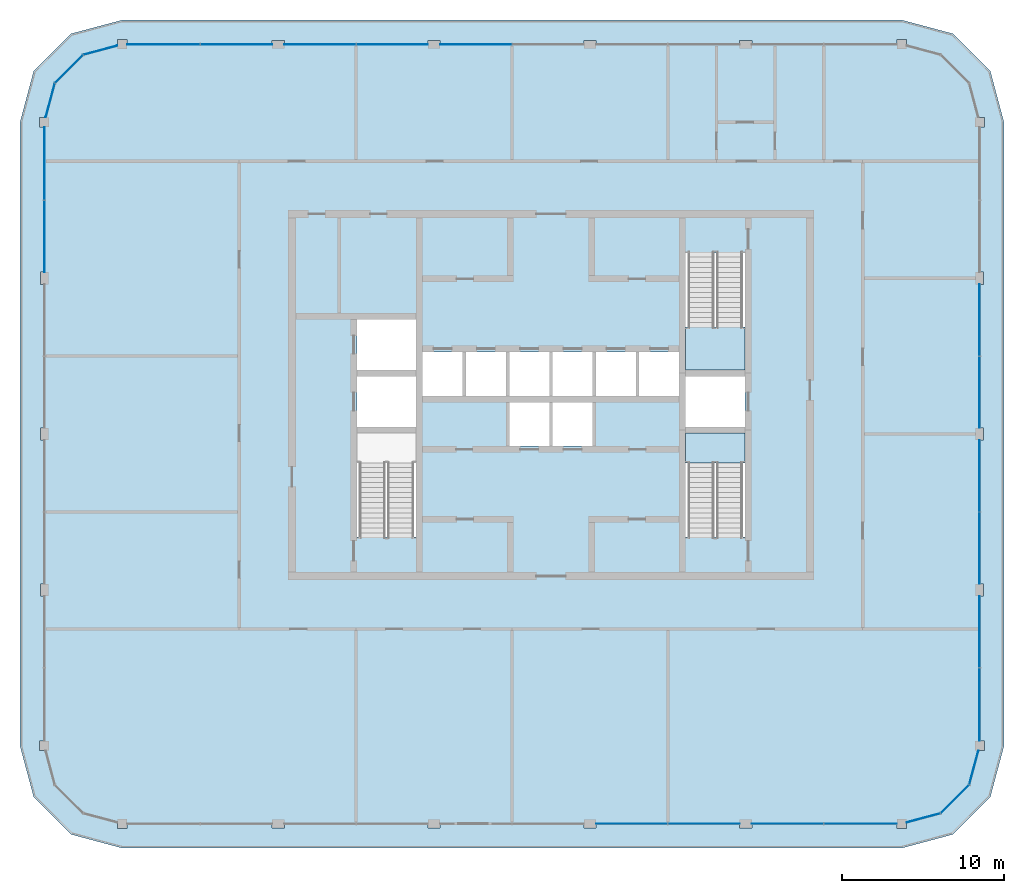
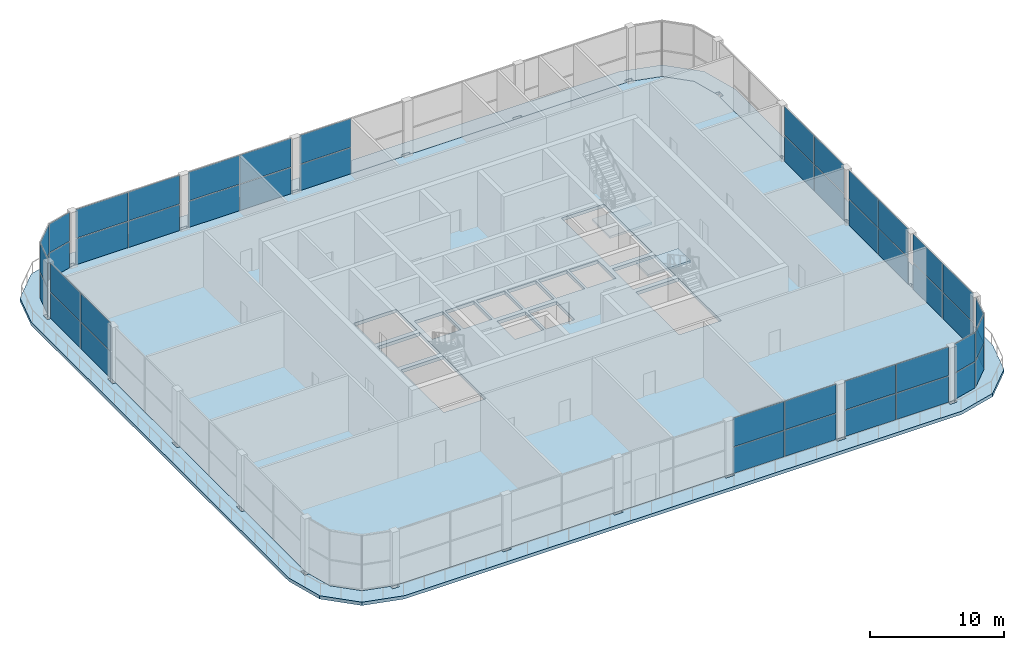
# One storey, part 8 of 15: 46 plates, 4 slabs, 13 elements without a shape of their own.
"""IFC4 building model written with IfcOpenShell, lengths in metres."""

import ifcopenshell
import ifcopenshell.guid

model = None  # the IFC model being written
_history = None  # IfcOwnerHistory: only IFC2X3 demands one
_inside = {}  # id of a spatial element -> (the spatial element, [elements in it])
_under = {}  # id of a project, library or spatial element -> (it, [spatial elements below it])
_declared = {}  # id of a project -> (the project, [libraries it declares])
_typed = {}  # id of a type object -> (the type object, [elements of that type])
_made_of = {}  # id of a material, layer set ... -> (it, [elements and type objects made of it])


def new_model(schema):
    """Start an empty IFC model of exactly this schema.

    Asked for "IFC4X3", IfcOpenShell would pick the latest addendum, in which some entities
    have other attributes; the version numbers below select the first issue.
    IFC2X3 requires an IfcOwnerHistory on every rooted entity: one is made here for all.
    """
    global model, _history
    if schema == "IFC4X3":
        model = ifcopenshell.file(schema_version=(4, 3, 0, 0))
    else:
        model = ifcopenshell.file(schema=schema)
    _inside.clear()
    _under.clear()
    _declared.clear()
    _typed.clear()
    _made_of.clear()
    _history = None
    if model.schema == "IFC2X3":
        org = make("IfcOrganization", Name="unknown")
        user = make(
            "IfcPersonAndOrganization",
            ThePerson=make("IfcPerson", FamilyName="unknown"),
            TheOrganization=org,
        )
        app = make(
            "IfcApplication",
            ApplicationDeveloper=org,
            Version="unknown",
            ApplicationFullName="unknown",
            ApplicationIdentifier="unknown",
        )
        _history = make(
            "IfcOwnerHistory",
            OwningUser=user,
            OwningApplication=app,
            ChangeAction="ADDED",
            CreationDate=0,
        )
    return model


def make(cls, **values):
    """One entity of the class cls with the attributes given. An attribute that is None is left unset."""
    return model.create_entity(
        cls, **{name: value for name, value in values.items() if value is not None}
    )


def rooted(cls, **values):
    """An entity with a GlobalId (a new one), such as an element, a storey or a relation."""
    return make(cls, GlobalId=ifcopenshell.guid.new(), OwnerHistory=_history, **values)


def si_unit(unit_type, name, prefix=None):
    """IfcSIUnit, for example si_unit("LENGTHUNIT", "METRE", prefix="MILLI")."""
    return make("IfcSIUnit", UnitType=unit_type, Prefix=prefix, Name=name)


def assignment(units):
    """IfcUnitAssignment: the units of a project."""
    return None if units is None else make("IfcUnitAssignment", Units=units)


def point(xyz):
    """IfcCartesianPoint."""
    return None if xyz is None else make("IfcCartesianPoint", Coordinates=xyz)


def direction(xyz):
    """IfcDirection."""
    return None if xyz is None else make("IfcDirection", DirectionRatios=xyz)


def frame(location, z_axis=None, x_axis=None):
    """IfcAxis2Placement3D, a coordinate frame: its origin and axes. An axis left out is left unset."""
    return make(
        "IfcAxis2Placement3D",
        Location=point(location),
        Axis=direction(z_axis),
        RefDirection=direction(x_axis),
    )


def frame_2d(location, x_axis=None):
    """IfcAxis2Placement2D, a coordinate frame in the plane: its origin and x axis."""
    return make(
        "IfcAxis2Placement2D", Location=point(location), RefDirection=direction(x_axis)
    )


def origin():
    """The frame at (0, 0, 0) with its axes left unset."""
    return frame((0.0, 0.0, 0.0))


def origin_2d():
    """The frame at (0, 0) in the plane with its x axis left unset."""
    return frame_2d((0.0, 0.0))


def place(relative_to, where):
    """IfcLocalPlacement: puts the frame where relative to a parent placement (None: the world)."""
    return make(
        "IfcLocalPlacement", PlacementRelTo=relative_to, RelativePlacement=where
    )


def context(
    kind, dimensions, precision=None, world=None, true_north=None, identifier=None
):
    """IfcGeometricRepresentationContext, for example the 3D "Model" context."""
    return make(
        "IfcGeometricRepresentationContext",
        ContextIdentifier=identifier,
        ContextType=kind,
        CoordinateSpaceDimension=dimensions,
        Precision=precision,
        WorldCoordinateSystem=world,
        TrueNorth=true_north,
    )


def subcontext(parent, identifier, kind, view, scale=None):
    """IfcGeometricRepresentationSubContext, for example "Body" below "Model"."""
    return make(
        "IfcGeometricRepresentationSubContext",
        ContextIdentifier=identifier,
        ContextType=kind,
        ParentContext=parent,
        TargetScale=scale,
        TargetView=view,
    )


def project(units=None, contexts=None):
    """IfcProject with its units and contexts."""
    return rooted(
        "IfcProject",
        Name="project",
        RepresentationContexts=contexts,
        UnitsInContext=assignment(units),
    )


def spatial(cls, under=None, at=None, **own):
    """A site, building, storey or space (cls), placed at a placement, below another one or the project."""
    s = rooted(cls, ObjectPlacement=at, **own)
    if under is not None:
        _under.setdefault(under.id(), (under, []))[1].append(s)
    return s


def polyline(points):
    """IfcPolyline through the points."""
    return make("IfcPolyline", Points=[point(p) for p in points])


def profile(cls, at=None, kind="AREA", **sizes):
    """A parametric profile (cls). Its sizes go by their IFC names, for example OverallWidth=200.0."""
    return make(cls, ProfileType=kind, Position=at, **sizes)


def rectangle(**sizes):
    """IfcRectangleProfileDef."""
    return profile("IfcRectangleProfileDef", **sizes)


def outline(outer, holes=None, kind="AREA"):
    """IfcArbitraryClosedProfileDef: a profile drawn as a closed curve; with holes, ...WithVoids."""
    if holes is None:
        return make("IfcArbitraryClosedProfileDef", ProfileType=kind, OuterCurve=outer)
    return make(
        "IfcArbitraryProfileDefWithVoids",
        ProfileType=kind,
        OuterCurve=outer,
        InnerCurves=holes,
    )


def extrude(swept, where, along, depth):
    """IfcExtrudedAreaSolid: the profile swept, set in the frame where, extruded along a direction by depth."""
    return make(
        "IfcExtrudedAreaSolid",
        SweptArea=swept,
        Position=where,
        ExtrudedDirection=direction(along),
        Depth=depth,
    )


def shape(context_of_items, identifier, shape_type, items):
    """IfcShapeRepresentation: the items that make up one representation, for example the "Body"."""
    return make(
        "IfcShapeRepresentation",
        ContextOfItems=context_of_items,
        RepresentationIdentifier=identifier,
        RepresentationType=shape_type,
        Items=items,
    )


def material(Name=None, Category=None):
    """IfcMaterial."""
    return make("IfcMaterial", Name=Name, Category=Category)


def layer(
    of_material, thickness, ventilated=None, Name=None, Category=None, Priority=None
):
    """IfcMaterialLayer: one layer of a wall or slab, of a material (None: an air gap)."""
    return make(
        "IfcMaterialLayer",
        Material=of_material,
        LayerThickness=thickness,
        IsVentilated=ventilated,
        Name=Name,
        Category=Category,
        Priority=Priority,
    )


def layer_set(layers, Name=None):
    """IfcMaterialLayerSet."""
    return make("IfcMaterialLayerSet", MaterialLayers=layers, LayerSetName=Name)


def made_of(thing, what):
    """Note that an element or type object is made of a material, layer set ...; save() writes the relation."""
    if what is not None:
        _made_of.setdefault(what.id(), (what, []))[1].append(thing)
    return thing


def type_object(cls, material=None, **own):
    """A type object (cls), such as IfcWallType, which elements share."""
    return made_of(rooted(cls, **own), material)


def element(
    cls,
    number,
    at=None,
    inside=None,
    cuts=None,
    type_object=None,
    material=None,
    context=None,
    identifier="Body",
    shape_type=None,
    held_by="IfcProductDefinitionShape",
    body=None,
    shapes=None,
    **own,
):
    """One element of the class cls, such as IfcWall. Its Tag is "e" and its number.

    at: its placement. inside: the storey or other place that contains it. cuts: it is an
    opening in that element (IfcRelVoidsElement). A single representation is given by context,
    identifier, shape_type and body (its items); several are given by shapes. held_by: the class
    of the entity that holds the representations. save() writes the other relations.
    """
    e = rooted(cls, Tag="e%d" % number, ObjectPlacement=at, **own)
    if body is not None:
        shapes = [shape(context, identifier, shape_type, body)]
    if shapes is not None:
        e.Representation = make(held_by, Representations=shapes)
    if inside is not None:
        _inside.setdefault(inside.id(), (inside, []))[1].append(e)
    if cuts is not None:
        rooted(
            "IfcRelVoidsElement", RelatingBuildingElement=cuts, RelatedOpeningElement=e
        )
    if type_object is not None:
        _typed.setdefault(type_object.id(), (type_object, []))[1].append(e)
    return made_of(e, material)


def aggregate(whole, parts):
    """IfcRelAggregates: a whole, such as a stair, and the parts it consists of."""
    return rooted("IfcRelAggregates", RelatingObject=whole, RelatedObjects=parts)


def save(model, path):
    """Write the relations noted so far, then the file.

    IfcRelAggregates (storeys below a building ...), IfcRelContainedInSpatialStructure (elements
    in a storey), IfcRelDefinesByType, IfcRelAssociatesMaterial and IfcRelDeclares: one each for
    every whole, place, type object, material and project.
    """
    for whole, parts in _under.values():
        aggregate(whole, parts)
    for where, things in _inside.values():
        rooted(
            "IfcRelContainedInSpatialStructure",
            RelatedElements=things,
            RelatingStructure=where,
        )
    for kind, things in _typed.values():
        rooted("IfcRelDefinesByType", RelatedObjects=things, RelatingType=kind)
    for what, things in _made_of.values():
        rooted("IfcRelAssociatesMaterial", RelatedObjects=things, RelatingMaterial=what)
    for by, libraries in _declared.values():
        rooted("IfcRelDeclares", RelatingContext=by, RelatedDefinitions=libraries)
    model.write(path)


model = new_model("IFC4")

# Units and contexts
model_context = context("Model", 3, precision=1e-05, world=origin(), true_north=direction((0.0, 1.0)))
body_context = subcontext(model_context, "Body", "Model", "MODEL_VIEW")
ifc_project = project(units=[si_unit("LENGTHUNIT", "METRE"), si_unit("AREAUNIT", "SQUARE_METRE"), si_unit("VOLUMEUNIT", "CUBIC_METRE"), si_unit("PLANEANGLEUNIT", "RADIAN"), si_unit("MASSUNIT", "GRAM", prefix="KILO")], contexts=[model_context])

# Site, building, storey
site_placement = place(None, origin())
site = spatial("IfcSite", under=ifc_project, at=site_placement, CompositionType="ELEMENT")
building_placement = place(site_placement, origin())
building = spatial("IfcBuilding", under=site, at=building_placement, Name="Madar Terraces", CompositionType="ELEMENT")
storey_placement = place(building_placement, frame((0.0, 0.0, 286.10009765625)))
storey = spatial("IfcBuildingStorey", under=building, at=storey_placement, Name="L75", CompositionType="ELEMENT", Elevation=286.10009765625)

# Slabs
ifc_material_1 = material(Name="Concrete C50/60", Category="concrete")
ifc_layer_1 = layer(ifc_material_1, 0.300048828125)
ifc_layer_set_1 = layer_set([ifc_layer_1], Name="Balcony band 300")
slab_type_1 = type_object("IfcSlabType", Name="Balcony band 300", PredefinedType="FLOOR", material=ifc_layer_set_1)
slab_1_placement = place(storey_placement, frame((0.0, 0.0, -0.300048828125)))
element("IfcSlab", 1, at=slab_1_placement, inside=storey, type_object=slab_type_1, Name="Balcony band", PredefinedType="FLOOR", context=body_context, shape_type="SweptSolid", body=[
    extrude(outline(polyline([(4.800048828125, -1.5), (1.64990234375, -0.656005859375), (-0.656005859375, 1.64990234375), (-1.5, 4.800048828125), (-1.5, 43.199951171875), (-0.656005859375, 46.35009765625), (1.64990234375, 48.656005859375), (4.800048828125, 49.5), (52.800048828125, 49.5), (55.949951171875, 48.656005859375), (58.256103515625, 46.35009765625), (59.10009765625, 43.199951171875), (59.10009765625, 4.800048828125), (58.256103515625, 1.64990234375), (55.949951171875, -0.656005859375), (52.800048828125, -1.5), (4.800048828125, -1.5)]), holes=[polyline([(5.10009765625, -0.300048828125), (5.10009765625, 0.0), (14.02490234375, 0.0), (14.02490234375, -0.25), (14.77490234375, -0.25), (14.77490234375, 0.0), (23.625, 0.0), (23.625, -0.25), (24.375, -0.25), (24.375, 0.0), (33.22509765625, 0.0), (33.22509765625, -0.25), (33.97509765625, -0.25), (33.97509765625, 0.0), (42.824951171875, 0.0), (42.824951171875, -0.25), (43.574951171875, -0.25), (43.574951171875, 0.0), (52.5, 0.0), (52.5, -0.300048828125), (53.10009765625, -0.300048828125), (53.10009765625, 0.080322265625), (55.199951171875, 0.64306640625), (56.956787109375, 2.39990234375), (57.51953125, 4.5), (57.89990234375, 4.5), (57.89990234375, 5.10009765625), (57.60009765625, 5.10009765625), (57.60009765625, 14.02490234375), (57.85009765625, 14.02490234375), (57.85009765625, 14.77490234375), (57.60009765625, 14.77490234375), (57.60009765625, 23.625), (57.85009765625, 23.625), (57.85009765625, 24.375), (57.60009765625, 24.375), (57.60009765625, 33.22509765625), (57.85009765625, 33.22509765625), (57.85009765625, 33.97509765625), (57.60009765625, 33.97509765625), (57.60009765625, 42.89990234375), (57.89990234375, 42.89990234375), (57.89990234375, 43.5), (57.51953125, 43.5), (56.956787109375, 45.60009765625), (55.199951171875, 47.35693359375), (53.10009765625, 47.919677734375), (53.10009765625, 48.300048828125), (52.5, 48.300048828125), (52.5, 48.0), (43.574951171875, 48.0), (43.574951171875, 48.25), (42.824951171875, 48.25), (42.824951171875, 48.0), (33.97509765625, 48.0), (33.97509765625, 48.25), (33.22509765625, 48.25), (33.22509765625, 48.0), (24.375, 48.0), (24.375, 48.25), (23.625, 48.25), (23.625, 48.0), (14.77490234375, 48.0), (14.77490234375, 48.25), (14.02490234375, 48.25), (14.02490234375, 48.0), (5.10009765625, 48.0), (5.10009765625, 48.300048828125), (4.5, 48.300048828125), (4.5, 47.919677734375), (2.39990234375, 47.35693359375), (0.64306640625, 45.60009765625), (0.080322265625, 43.5), (-0.300048828125, 43.5), (-0.300048828125, 42.89990234375), (0.0, 42.89990234375), (0.0, 33.97509765625), (-0.25, 33.97509765625), (-0.25, 33.22509765625), (0.0, 33.22509765625), (0.0, 24.375), (-0.25, 24.375), (-0.25, 23.625), (0.0, 23.625), (0.0, 14.77490234375), (-0.25, 14.77490234375), (-0.25, 14.02490234375), (0.0, 14.02490234375), (0.0, 5.10009765625), (-0.300048828125, 5.10009765625), (-0.300048828125, 4.5), (0.080322265625, 4.5), (0.64306640625, 2.39990234375), (2.39990234375, 0.64306640625), (4.5, 0.080322265625), (4.5, -0.300048828125), (5.10009765625, -0.300048828125)])]), origin(), (0.0, 0.0, 1.0), 0.300048828125),
])
ifc_material_2 = material(Name="Concrete C50/60", Category="concrete")
ifc_layer_2 = layer(ifc_material_2, 0.300048828125)
ifc_layer_set_2 = layer_set([ifc_layer_2], Name="FS2 PT flat slab 300")
slab_type_2 = type_object("IfcSlabType", Name="FS2 PT flat slab 300", PredefinedType="FLOOR", material=ifc_layer_set_2)
slab_2_placement = place(storey_placement, frame((0.0, 0.0, -0.300048828125)))
element("IfcSlab", 2, at=slab_2_placement, inside=storey, type_object=slab_type_2, Name="Floor slab L75 (1)", PredefinedType="FLOOR", context=body_context, shape_type="SweptSolid", body=[
    extrude(outline(polyline([(52.800048828125, 0.0), (55.199951171875, 0.64306640625), (56.95703125, 2.39990234375), (57.60009765625, 4.800048828125), (57.60009765625, 43.199951171875), (56.95703125, 45.60009765625), (55.199951171875, 47.35693359375), (52.800048828125, 48.0), (4.800048828125, 48.0), (2.39990234375, 47.35693359375), (0.64306640625, 45.60009765625), (0.0, 43.199951171875), (0.0, 4.800048828125), (0.64306640625, 2.39990234375), (2.39990234375, 0.64306640625), (4.800048828125, 0.0), (52.800048828125, 0.0)]), holes=[polyline([(22.89990234375, 17.64990234375), (19.25, 17.64990234375), (19.25, 24.050048828125), (22.89990234375, 24.050048828125), (22.89990234375, 17.64990234375)]), polyline([(28.63330078125, 23.25), (28.63330078125, 25.949951171875), (31.10009765625, 25.949951171875), (31.10009765625, 23.25), (28.63330078125, 23.25)]), polyline([(19.25, 24.449951171875), (19.25, 27.550048828125), (22.89990234375, 27.550048828125), (22.89990234375, 24.449951171875), (19.25, 24.449951171875)]), polyline([(23.300048828125, 26.35009765625), (23.300048828125, 29.050048828125), (25.7666015625, 29.050048828125), (25.7666015625, 26.35009765625), (23.300048828125, 26.35009765625)]), polyline([(25.966552734375, 26.35009765625), (25.966552734375, 29.050048828125), (28.433349609375, 29.050048828125), (28.433349609375, 26.35009765625), (25.966552734375, 26.35009765625)]), polyline([(28.63330078125, 26.35009765625), (28.63330078125, 29.050048828125), (31.10009765625, 29.050048828125), (31.10009765625, 26.35009765625), (28.63330078125, 26.35009765625)]), polyline([(19.25, 27.949951171875), (19.25, 31.050048828125), (22.89990234375, 31.050048828125), (22.89990234375, 27.949951171875), (19.25, 27.949951171875)]), polyline([(43.14990234375, 17.64990234375), (39.5, 17.64990234375), (39.5, 24.050048828125), (43.14990234375, 24.050048828125), (43.14990234375, 17.64990234375)]), polyline([(31.300048828125, 23.25), (31.300048828125, 25.949951171875), (33.7666015625, 25.949951171875), (33.7666015625, 23.25), (31.300048828125, 23.25)]), polyline([(39.5, 24.449951171875), (39.5, 27.550048828125), (43.14990234375, 27.550048828125), (43.14990234375, 24.449951171875), (39.5, 24.449951171875)]), polyline([(31.300048828125, 26.35009765625), (31.300048828125, 29.050048828125), (33.7666015625, 29.050048828125), (33.7666015625, 26.35009765625), (31.300048828125, 26.35009765625)]), polyline([(33.966552734375, 26.35009765625), (33.966552734375, 29.050048828125), (36.433349609375, 29.050048828125), (36.433349609375, 26.35009765625), (33.966552734375, 26.35009765625)]), polyline([(36.63330078125, 26.35009765625), (36.63330078125, 29.050048828125), (39.10009765625, 29.050048828125), (39.10009765625, 26.35009765625), (36.63330078125, 26.35009765625)]), polyline([(39.5, 27.949951171875), (39.5, 35.14990234375), (43.14990234375, 35.14990234375), (43.14990234375, 27.949951171875), (39.5, 27.949951171875)])]), origin(), (0.0, 0.0, 1.0), 0.300048828125),
])

# Curtain wall, plates
ifc_material_3 = material(Name="Glass, clear low-iron, with black aluminium frame", Category="aluminium")
ifc_layer_3 = layer(ifc_material_3, 0.199951171875)
ifc_layer_set_3 = layer_set([ifc_layer_3], Name="Facade curtain wall, observation glazing")
curtain_wall_type = type_object("IfcCurtainWallType", Name="Facade curtain wall, observation glazing", PredefinedType="NOTDEFINED", material=ifc_layer_set_3)
curtain_wall_1_placement = place(storey_placement, origin())
curtain_wall_1 = element("IfcCurtainWall", 3, at=curtain_wall_1_placement, inside=storey, type_object=curtain_wall_type, Name="Outer skin curtain wall south bay 4", PredefinedType="NOTDEFINED")
ifc_material_4 = material(Name="Glass, ceramic frit dark grey", Category="glass")
ifc_layer_4 = layer(ifc_material_4, 0.028076171875)
ifc_layer_set_4 = layer_set([ifc_layer_4], Name="Facade glass panel 28")
plate_type = type_object("IfcPlateType", Name="Facade glass panel 28", PredefinedType="CURTAIN_PANEL", material=ifc_layer_set_4)
plate_1_placement = place(storey_placement, frame((36.172607421875, 0.0, -0.000244140625), z_axis=(0.0, 0.0, 1.0), x_axis=(1.0, 0.0, 0.0)))
plate_1 = element("IfcPlate", 4, at=plate_1_placement, type_object=plate_type, Name="Panel 1", PredefinedType="CURTAIN_PANEL", context=body_context, shape_type="SweptSolid", body=[
    extrude(rectangle(XDim=4.39501953125, YDim=0.028076171875, at=origin_2d()), origin(), (0.0, 0.0, 1.0), 2.3701171875),
])
plate_2_placement = place(storey_placement, frame((36.172607421875, 0.0, 2.4296875), z_axis=(0.0, 0.0, 1.0), x_axis=(1.0, 0.0, 0.0)))
plate_2 = element("IfcPlate", 5, at=plate_2_placement, type_object=plate_type, Name="Panel 2", PredefinedType="CURTAIN_PANEL", context=body_context, shape_type="SweptSolid", body=[
    extrude(rectangle(XDim=4.39501953125, YDim=0.028076171875, at=origin_2d()), origin(), (0.0, 0.0, 1.0), 2.610107421875),
])
plate_3_placement = place(storey_placement, frame((40.62744140625, 0.0, -0.000244140625), z_axis=(0.0, 0.0, 1.0), x_axis=(1.0, 0.0, 0.0)))
plate_3 = element("IfcPlate", 6, at=plate_3_placement, type_object=plate_type, Name="Panel 3", PredefinedType="CURTAIN_PANEL", context=body_context, shape_type="SweptSolid", body=[
    extrude(rectangle(XDim=4.39501953125, YDim=0.028076171875, at=origin_2d()), origin(), (0.0, 0.0, 1.0), 2.3701171875),
])
plate_4_placement = place(storey_placement, frame((40.62744140625, 0.0, 2.4296875), z_axis=(0.0, 0.0, 1.0), x_axis=(1.0, 0.0, 0.0)))
plate_4 = element("IfcPlate", 7, at=plate_4_placement, type_object=plate_type, Name="Panel 4", PredefinedType="CURTAIN_PANEL", context=body_context, shape_type="SweptSolid", body=[
    extrude(rectangle(XDim=4.39501953125, YDim=0.028076171875, at=origin_2d()), origin(), (0.0, 0.0, 1.0), 2.610107421875),
])
aggregate(curtain_wall_1, [plate_1, plate_2, plate_3, plate_4])

curtain_wall_2_placement = place(storey_placement, origin())
curtain_wall_2 = element("IfcCurtainWall", 8, at=curtain_wall_2_placement, inside=storey, type_object=curtain_wall_type, Name="Outer skin curtain wall south bay 5", PredefinedType="NOTDEFINED")
plate_5_placement = place(storey_placement, frame((45.7724609375, 0.0, -0.000244140625), z_axis=(0.0, 0.0, 1.0), x_axis=(1.0, 0.0, 0.0)))
plate_5 = element("IfcPlate", 9, at=plate_5_placement, type_object=plate_type, Name="Panel 1", PredefinedType="CURTAIN_PANEL", context=body_context, shape_type="SweptSolid", body=[
    extrude(rectangle(XDim=4.39501953125, YDim=0.028076171875, at=origin_2d()), origin(), (0.0, 0.0, 1.0), 2.3701171875),
])
plate_6_placement = place(storey_placement, frame((45.7724609375, 0.0, 2.4296875), z_axis=(0.0, 0.0, 1.0), x_axis=(1.0, 0.0, 0.0)))
plate_6 = element("IfcPlate", 10, at=plate_6_placement, type_object=plate_type, Name="Panel 2", PredefinedType="CURTAIN_PANEL", context=body_context, shape_type="SweptSolid", body=[
    extrude(rectangle(XDim=4.39501953125, YDim=0.028076171875, at=origin_2d()), origin(), (0.0, 0.0, 1.0), 2.610107421875),
])
plate_7_placement = place(storey_placement, frame((50.264892578125, 0.0, -0.000244140625), z_axis=(0.0, 0.0, 1.0), x_axis=(1.0, 0.0, 0.0)))
plate_7 = element("IfcPlate", 11, at=plate_7_placement, type_object=plate_type, Name="Panel 3", PredefinedType="CURTAIN_PANEL", context=body_context, shape_type="SweptSolid", body=[
    extrude(rectangle(XDim=4.469970703125, YDim=0.028076171875, at=origin_2d()), origin(), (0.0, 0.0, 1.0), 2.3701171875),
])
plate_8_placement = place(storey_placement, frame((50.264892578125, 0.0, 2.4296875), z_axis=(0.0, 0.0, 1.0), x_axis=(1.0, 0.0, 0.0)))
plate_8 = element("IfcPlate", 12, at=plate_8_placement, type_object=plate_type, Name="Panel 4", PredefinedType="CURTAIN_PANEL", context=body_context, shape_type="SweptSolid", body=[
    extrude(rectangle(XDim=4.469970703125, YDim=0.028076171875, at=origin_2d()), origin(), (0.0, 0.0, 1.0), 2.610107421875),
])
aggregate(curtain_wall_2, [plate_5, plate_6, plate_7, plate_8])

curtain_wall_3_placement = place(storey_placement, origin())
curtain_wall_3 = element("IfcCurtainWall", 13, at=curtain_wall_3_placement, inside=storey, type_object=curtain_wall_type, Name="Outer skin curtain wall east bay 1", PredefinedType="NOTDEFINED")
plate_9_placement = place(storey_placement, frame((57.60009765625, 7.3349609375, -0.000244140625), z_axis=(0.0, 0.0, 1.0), x_axis=(0.0, 1.0, 0.0)))
plate_9 = element("IfcPlate", 14, at=plate_9_placement, type_object=plate_type, Name="Panel 1", PredefinedType="CURTAIN_PANEL", context=body_context, shape_type="SweptSolid", body=[
    extrude(rectangle(XDim=4.469970703125, YDim=0.028076171875, at=origin_2d()), origin(), (0.0, 0.0, 1.0), 2.3701171875),
])
plate_10_placement = place(storey_placement, frame((57.60009765625, 7.3349609375, 2.4296875), z_axis=(0.0, 0.0, 1.0), x_axis=(0.0, 1.0, 0.0)))
plate_10 = element("IfcPlate", 15, at=plate_10_placement, type_object=plate_type, Name="Panel 2", PredefinedType="CURTAIN_PANEL", context=body_context, shape_type="SweptSolid", body=[
    extrude(rectangle(XDim=4.469970703125, YDim=0.028076171875, at=origin_2d()), origin(), (0.0, 0.0, 1.0), 2.610107421875),
])
plate_11_placement = place(storey_placement, frame((57.60009765625, 11.827392578125, -0.000244140625), z_axis=(0.0, 0.0, 1.0), x_axis=(0.0, 1.0, 0.0)))
plate_11 = element("IfcPlate", 16, at=plate_11_placement, type_object=plate_type, Name="Panel 3", PredefinedType="CURTAIN_PANEL", context=body_context, shape_type="SweptSolid", body=[
    extrude(rectangle(XDim=4.39501953125, YDim=0.028076171875, at=origin_2d()), origin(), (0.0, 0.0, 1.0), 2.3701171875),
])
plate_12_placement = place(storey_placement, frame((57.60009765625, 11.827392578125, 2.4296875), z_axis=(0.0, 0.0, 1.0), x_axis=(0.0, 1.0, 0.0)))
plate_12 = element("IfcPlate", 17, at=plate_12_placement, type_object=plate_type, Name="Panel 4", PredefinedType="CURTAIN_PANEL", context=body_context, shape_type="SweptSolid", body=[
    extrude(rectangle(XDim=4.39501953125, YDim=0.028076171875, at=origin_2d()), origin(), (0.0, 0.0, 1.0), 2.610107421875),
])
aggregate(curtain_wall_3, [plate_9, plate_10, plate_11, plate_12])

curtain_wall_4_placement = place(storey_placement, origin())
curtain_wall_4 = element("IfcCurtainWall", 18, at=curtain_wall_4_placement, inside=storey, type_object=curtain_wall_type, Name="Outer skin curtain wall east bay 2", PredefinedType="NOTDEFINED")
plate_13_placement = place(storey_placement, frame((57.60009765625, 16.972412109375, -0.000244140625), z_axis=(0.0, 0.0, 1.0), x_axis=(0.0, 1.0, 0.0)))
plate_13 = element("IfcPlate", 19, at=plate_13_placement, type_object=plate_type, Name="Panel 1", PredefinedType="CURTAIN_PANEL", context=body_context, shape_type="SweptSolid", body=[
    extrude(rectangle(XDim=4.39501953125, YDim=0.028076171875, at=origin_2d()), origin(), (0.0, 0.0, 1.0), 2.3701171875),
])
plate_14_placement = place(storey_placement, frame((57.60009765625, 16.972412109375, 2.4296875), z_axis=(0.0, 0.0, 1.0), x_axis=(0.0, 1.0, 0.0)))
plate_14 = element("IfcPlate", 20, at=plate_14_placement, type_object=plate_type, Name="Panel 2", PredefinedType="CURTAIN_PANEL", context=body_context, shape_type="SweptSolid", body=[
    extrude(rectangle(XDim=4.39501953125, YDim=0.028076171875, at=origin_2d()), origin(), (0.0, 0.0, 1.0), 2.610107421875),
])
plate_15_placement = place(storey_placement, frame((57.60009765625, 21.427490234375, -0.000244140625), z_axis=(0.0, 0.0, 1.0), x_axis=(0.0, 1.0, 0.0)))
plate_15 = element("IfcPlate", 21, at=plate_15_placement, type_object=plate_type, Name="Panel 3", PredefinedType="CURTAIN_PANEL", context=body_context, shape_type="SweptSolid", body=[
    extrude(rectangle(XDim=4.39501953125, YDim=0.028076171875, at=origin_2d()), origin(), (0.0, 0.0, 1.0), 2.3701171875),
])
plate_16_placement = place(storey_placement, frame((57.60009765625, 21.427490234375, 2.4296875), z_axis=(0.0, 0.0, 1.0), x_axis=(0.0, 1.0, 0.0)))
plate_16 = element("IfcPlate", 22, at=plate_16_placement, type_object=plate_type, Name="Panel 4", PredefinedType="CURTAIN_PANEL", context=body_context, shape_type="SweptSolid", body=[
    extrude(rectangle(XDim=4.39501953125, YDim=0.028076171875, at=origin_2d()), origin(), (0.0, 0.0, 1.0), 2.610107421875),
])
aggregate(curtain_wall_4, [plate_13, plate_14, plate_15, plate_16])

curtain_wall_5_placement = place(storey_placement, origin())
curtain_wall_5 = element("IfcCurtainWall", 23, at=curtain_wall_5_placement, inside=storey, type_object=curtain_wall_type, Name="Outer skin curtain wall east bay 3", PredefinedType="NOTDEFINED")
plate_17_placement = place(storey_placement, frame((57.60009765625, 26.572509765625, -0.000244140625), z_axis=(0.0, 0.0, 1.0), x_axis=(0.0, 1.0, 0.0)))
plate_17 = element("IfcPlate", 24, at=plate_17_placement, type_object=plate_type, Name="Panel 1", PredefinedType="CURTAIN_PANEL", context=body_context, shape_type="SweptSolid", body=[
    extrude(rectangle(XDim=4.39501953125, YDim=0.028076171875, at=origin_2d()), origin(), (0.0, 0.0, 1.0), 2.3701171875),
])
plate_18_placement = place(storey_placement, frame((57.60009765625, 26.572509765625, 2.4296875), z_axis=(0.0, 0.0, 1.0), x_axis=(0.0, 1.0, 0.0)))
plate_18 = element("IfcPlate", 25, at=plate_18_placement, type_object=plate_type, Name="Panel 2", PredefinedType="CURTAIN_PANEL", context=body_context, shape_type="SweptSolid", body=[
    extrude(rectangle(XDim=4.39501953125, YDim=0.028076171875, at=origin_2d()), origin(), (0.0, 0.0, 1.0), 2.610107421875),
])
plate_19_placement = place(storey_placement, frame((57.60009765625, 31.027587890625, -0.000244140625), z_axis=(0.0, 0.0, 1.0), x_axis=(0.0, 1.0, 0.0)))
plate_19 = element("IfcPlate", 26, at=plate_19_placement, type_object=plate_type, Name="Panel 3", PredefinedType="CURTAIN_PANEL", context=body_context, shape_type="SweptSolid", body=[
    extrude(rectangle(XDim=4.39501953125, YDim=0.028076171875, at=origin_2d()), origin(), (0.0, 0.0, 1.0), 2.3701171875),
])
plate_20_placement = place(storey_placement, frame((57.60009765625, 31.027587890625, 2.4296875), z_axis=(0.0, 0.0, 1.0), x_axis=(0.0, 1.0, 0.0)))
plate_20 = element("IfcPlate", 27, at=plate_20_placement, type_object=plate_type, Name="Panel 4", PredefinedType="CURTAIN_PANEL", context=body_context, shape_type="SweptSolid", body=[
    extrude(rectangle(XDim=4.39501953125, YDim=0.028076171875, at=origin_2d()), origin(), (0.0, 0.0, 1.0), 2.610107421875),
])
aggregate(curtain_wall_5, [plate_17, plate_18, plate_19, plate_20])

curtain_wall_6_placement = place(storey_placement, origin())
curtain_wall_6 = element("IfcCurtainWall", 28, at=curtain_wall_6_placement, inside=storey, type_object=curtain_wall_type, Name="Outer skin curtain wall north bay 3", PredefinedType="NOTDEFINED")
plate_21_placement = place(storey_placement, frame((26.572509765625, 48.0, -0.000244140625), z_axis=(0.0, 0.0, 1.0), x_axis=(-1.0, 0.0, 0.0)))
plate_21 = element("IfcPlate", 29, at=plate_21_placement, type_object=plate_type, Name="Panel 3", PredefinedType="CURTAIN_PANEL", context=body_context, shape_type="SweptSolid", body=[
    extrude(rectangle(XDim=4.39501953125, YDim=0.028076171875, at=origin_2d()), origin(), (0.0, 0.0, 1.0), 2.3701171875),
])
plate_22_placement = place(storey_placement, frame((26.572509765625, 48.0, 2.4296875), z_axis=(0.0, 0.0, 1.0), x_axis=(-1.0, 0.0, 0.0)))
plate_22 = element("IfcPlate", 30, at=plate_22_placement, type_object=plate_type, Name="Panel 4", PredefinedType="CURTAIN_PANEL", context=body_context, shape_type="SweptSolid", body=[
    extrude(rectangle(XDim=4.39501953125, YDim=0.028076171875, at=origin_2d()), origin(), (0.0, 0.0, 1.0), 2.610107421875),
])
aggregate(curtain_wall_6, [plate_21, plate_22])

curtain_wall_7_placement = place(storey_placement, origin())
curtain_wall_7 = element("IfcCurtainWall", 31, at=curtain_wall_7_placement, inside=storey, type_object=curtain_wall_type, Name="Outer skin curtain wall north bay 4", PredefinedType="NOTDEFINED")
plate_23_placement = place(storey_placement, frame((21.427490234375, 48.0, -0.000244140625), z_axis=(0.0, 0.0, 1.0), x_axis=(-1.0, 0.0, 0.0)))
plate_23 = element("IfcPlate", 32, at=plate_23_placement, type_object=plate_type, Name="Panel 1", PredefinedType="CURTAIN_PANEL", context=body_context, shape_type="SweptSolid", body=[
    extrude(rectangle(XDim=4.39501953125, YDim=0.028076171875, at=origin_2d()), origin(), (0.0, 0.0, 1.0), 2.3701171875),
])
plate_24_placement = place(storey_placement, frame((21.427490234375, 48.0, 2.4296875), z_axis=(0.0, 0.0, 1.0), x_axis=(-1.0, 0.0, 0.0)))
plate_24 = element("IfcPlate", 33, at=plate_24_placement, type_object=plate_type, Name="Panel 2", PredefinedType="CURTAIN_PANEL", context=body_context, shape_type="SweptSolid", body=[
    extrude(rectangle(XDim=4.39501953125, YDim=0.028076171875, at=origin_2d()), origin(), (0.0, 0.0, 1.0), 2.610107421875),
])
plate_25_placement = place(storey_placement, frame((16.972412109375, 48.0, -0.000244140625), z_axis=(0.0, 0.0, 1.0), x_axis=(-1.0, 0.0, 0.0)))
plate_25 = element("IfcPlate", 34, at=plate_25_placement, type_object=plate_type, Name="Panel 3", PredefinedType="CURTAIN_PANEL", context=body_context, shape_type="SweptSolid", body=[
    extrude(rectangle(XDim=4.39501953125, YDim=0.028076171875, at=origin_2d()), origin(), (0.0, 0.0, 1.0), 2.3701171875),
])
plate_26_placement = place(storey_placement, frame((16.972412109375, 48.0, 2.4296875), z_axis=(0.0, 0.0, 1.0), x_axis=(-1.0, 0.0, 0.0)))
plate_26 = element("IfcPlate", 35, at=plate_26_placement, type_object=plate_type, Name="Panel 4", PredefinedType="CURTAIN_PANEL", context=body_context, shape_type="SweptSolid", body=[
    extrude(rectangle(XDim=4.39501953125, YDim=0.028076171875, at=origin_2d()), origin(), (0.0, 0.0, 1.0), 2.610107421875),
])
aggregate(curtain_wall_7, [plate_23, plate_24, plate_25, plate_26])

curtain_wall_8_placement = place(storey_placement, origin())
curtain_wall_8 = element("IfcCurtainWall", 36, at=curtain_wall_8_placement, inside=storey, type_object=curtain_wall_type, Name="Outer skin curtain wall north bay 5", PredefinedType="NOTDEFINED")
plate_27_placement = place(storey_placement, frame((11.827392578125, 48.0, -0.000244140625), z_axis=(0.0, 0.0, 1.0), x_axis=(-1.0, 0.0, 0.0)))
plate_27 = element("IfcPlate", 37, at=plate_27_placement, type_object=plate_type, Name="Panel 1", PredefinedType="CURTAIN_PANEL", context=body_context, shape_type="SweptSolid", body=[
    extrude(rectangle(XDim=4.39501953125, YDim=0.028076171875, at=origin_2d()), origin(), (0.0, 0.0, 1.0), 2.3701171875),
])
plate_28_placement = place(storey_placement, frame((11.827392578125, 48.0, 2.4296875), z_axis=(0.0, 0.0, 1.0), x_axis=(-1.0, 0.0, 0.0)))
plate_28 = element("IfcPlate", 38, at=plate_28_placement, type_object=plate_type, Name="Panel 2", PredefinedType="CURTAIN_PANEL", context=body_context, shape_type="SweptSolid", body=[
    extrude(rectangle(XDim=4.39501953125, YDim=0.028076171875, at=origin_2d()), origin(), (0.0, 0.0, 1.0), 2.610107421875),
])
plate_29_placement = place(storey_placement, frame((7.3349609375, 48.0, -0.000244140625), z_axis=(0.0, 0.0, 1.0), x_axis=(-1.0, 0.0, 0.0)))
plate_29 = element("IfcPlate", 39, at=plate_29_placement, type_object=plate_type, Name="Panel 3", PredefinedType="CURTAIN_PANEL", context=body_context, shape_type="SweptSolid", body=[
    extrude(rectangle(XDim=4.469970703125, YDim=0.028076171875, at=origin_2d()), origin(), (0.0, 0.0, 1.0), 2.3701171875),
])
plate_30_placement = place(storey_placement, frame((7.3349609375, 48.0, 2.4296875), z_axis=(0.0, 0.0, 1.0), x_axis=(-1.0, 0.0, 0.0)))
plate_30 = element("IfcPlate", 40, at=plate_30_placement, type_object=plate_type, Name="Panel 4", PredefinedType="CURTAIN_PANEL", context=body_context, shape_type="SweptSolid", body=[
    extrude(rectangle(XDim=4.469970703125, YDim=0.028076171875, at=origin_2d()), origin(), (0.0, 0.0, 1.0), 2.610107421875),
])
aggregate(curtain_wall_8, [plate_27, plate_28, plate_29, plate_30])

curtain_wall_9_placement = place(storey_placement, origin())
curtain_wall_9 = element("IfcCurtainWall", 41, at=curtain_wall_9_placement, inside=storey, type_object=curtain_wall_type, Name="Outer skin curtain wall west bay 1", PredefinedType="NOTDEFINED")
plate_31_placement = place(storey_placement, frame((0.0, 40.6650390625, -0.000244140625), z_axis=(0.0, 0.0, 1.0), x_axis=(0.0, -1.0, 0.0)))
plate_31 = element("IfcPlate", 42, at=plate_31_placement, type_object=plate_type, Name="Panel 1", PredefinedType="CURTAIN_PANEL", context=body_context, shape_type="SweptSolid", body=[
    extrude(rectangle(XDim=4.469970703125, YDim=0.028076171875, at=origin_2d()), origin(), (0.0, 0.0, 1.0), 2.3701171875),
])
plate_32_placement = place(storey_placement, frame((0.0, 40.6650390625, 2.4296875), z_axis=(0.0, 0.0, 1.0), x_axis=(0.0, -1.0, 0.0)))
plate_32 = element("IfcPlate", 43, at=plate_32_placement, type_object=plate_type, Name="Panel 2", PredefinedType="CURTAIN_PANEL", context=body_context, shape_type="SweptSolid", body=[
    extrude(rectangle(XDim=4.469970703125, YDim=0.028076171875, at=origin_2d()), origin(), (0.0, 0.0, 1.0), 2.610107421875),
])
plate_33_placement = place(storey_placement, frame((0.0, 36.172607421875, -0.000244140625), z_axis=(0.0, 0.0, 1.0), x_axis=(0.0, -1.0, 0.0)))
plate_33 = element("IfcPlate", 44, at=plate_33_placement, type_object=plate_type, Name="Panel 3", PredefinedType="CURTAIN_PANEL", context=body_context, shape_type="SweptSolid", body=[
    extrude(rectangle(XDim=4.39501953125, YDim=0.028076171875, at=origin_2d()), origin(), (0.0, 0.0, 1.0), 2.3701171875),
])
plate_34_placement = place(storey_placement, frame((0.0, 36.172607421875, 2.4296875), z_axis=(0.0, 0.0, 1.0), x_axis=(0.0, -1.0, 0.0)))
plate_34 = element("IfcPlate", 45, at=plate_34_placement, type_object=plate_type, Name="Panel 4", PredefinedType="CURTAIN_PANEL", context=body_context, shape_type="SweptSolid", body=[
    extrude(rectangle(XDim=4.39501953125, YDim=0.028076171875, at=origin_2d()), origin(), (0.0, 0.0, 1.0), 2.610107421875),
])
aggregate(curtain_wall_9, [plate_31, plate_32, plate_33, plate_34])

curtain_wall_10_placement = place(storey_placement, origin())
curtain_wall_10 = element("IfcCurtainWall", 46, at=curtain_wall_10_placement, inside=storey, type_object=curtain_wall_type, Name="Outer skin curtain wall south-east corner", PredefinedType="NOTDEFINED")
plate_35_placement = place(storey_placement, frame((54.135498046875, 0.35791015625, -0.000244140625), z_axis=(0.0, 0.0, 1.0), x_axis=(0.965925832509, 0.258819021888, 0.0)))
plate_35 = element("IfcPlate", 47, at=plate_35_placement, type_object=plate_type, Name="Panel 1", PredefinedType="CURTAIN_PANEL", context=body_context, shape_type="SweptSolid", body=[
    extrude(rectangle(XDim=2.14404296875, YDim=0.028076171875, at=origin_2d()), origin(), (0.0, 0.0, 1.0), 2.3701171875),
])
plate_36_placement = place(storey_placement, frame((54.135498046875, 0.35791015625, 2.4296875), z_axis=(0.0, 0.0, 1.0), x_axis=(0.965925832509, 0.258819021888, 0.0)))
plate_36 = element("IfcPlate", 48, at=plate_36_placement, type_object=plate_type, Name="Panel 2", PredefinedType="CURTAIN_PANEL", context=body_context, shape_type="SweptSolid", body=[
    extrude(rectangle(XDim=2.14404296875, YDim=0.028076171875, at=origin_2d()), origin(), (0.0, 0.0, 1.0), 2.610107421875),
])
plate_37_placement = place(storey_placement, frame((56.078369140625, 1.521484375, -0.000244140625), z_axis=(0.0, 0.0, 1.0), x_axis=(0.707106781187, 0.707106781187, 0.0)))
plate_37 = element("IfcPlate", 49, at=plate_37_placement, type_object=plate_type, Name="Panel 3", PredefinedType="CURTAIN_PANEL", context=body_context, shape_type="SweptSolid", body=[
    extrude(rectangle(XDim=2.424560546875, YDim=0.028076171875, at=origin_2d()), origin(), (0.0, 0.0, 1.0), 2.3701171875),
])
plate_38_placement = place(storey_placement, frame((56.078369140625, 1.521484375, 2.4296875), z_axis=(0.0, 0.0, 1.0), x_axis=(0.707106781187, 0.707106781187, 0.0)))
plate_38 = element("IfcPlate", 50, at=plate_38_placement, type_object=plate_type, Name="Panel 4", PredefinedType="CURTAIN_PANEL", context=body_context, shape_type="SweptSolid", body=[
    extrude(rectangle(XDim=2.424560546875, YDim=0.028076171875, at=origin_2d()), origin(), (0.0, 0.0, 1.0), 2.610107421875),
])
plate_39_placement = place(storey_placement, frame((57.2421875, 3.464599609375, -0.000244140625), z_axis=(0.0, 0.0, 1.0), x_axis=(0.258819021888, 0.965925832509, 0.0)))
plate_39 = element("IfcPlate", 51, at=plate_39_placement, type_object=plate_type, Name="Panel 5", PredefinedType="CURTAIN_PANEL", context=body_context, shape_type="SweptSolid", body=[
    extrude(rectangle(XDim=2.14404296875, YDim=0.028076171875, at=origin_2d()), origin(), (0.0, 0.0, 1.0), 2.3701171875),
])
plate_40_placement = place(storey_placement, frame((57.2421875, 3.464599609375, 2.4296875), z_axis=(0.0, 0.0, 1.0), x_axis=(0.258819021888, 0.965925832509, 0.0)))
plate_40 = element("IfcPlate", 52, at=plate_40_placement, type_object=plate_type, Name="Panel 6", PredefinedType="CURTAIN_PANEL", context=body_context, shape_type="SweptSolid", body=[
    extrude(rectangle(XDim=2.14404296875, YDim=0.028076171875, at=origin_2d()), origin(), (0.0, 0.0, 1.0), 2.610107421875),
])
aggregate(curtain_wall_10, [plate_35, plate_36, plate_37, plate_38, plate_39, plate_40])

curtain_wall_11_placement = place(storey_placement, origin())
curtain_wall_11 = element("IfcCurtainWall", 53, at=curtain_wall_11_placement, inside=storey, type_object=curtain_wall_type, Name="Outer skin curtain wall north-west corner", PredefinedType="NOTDEFINED")
plate_41_placement = place(storey_placement, frame((3.464599609375, 47.64208984375, -0.000244140625), z_axis=(0.0, 0.0, 1.0), x_axis=(-0.965925832509, -0.258819021888, 0.0)))
plate_41 = element("IfcPlate", 54, at=plate_41_placement, type_object=plate_type, Name="Panel 1", PredefinedType="CURTAIN_PANEL", context=body_context, shape_type="SweptSolid", body=[
    extrude(rectangle(XDim=2.14404296875, YDim=0.028076171875, at=origin_2d()), origin(), (0.0, 0.0, 1.0), 2.3701171875),
])
plate_42_placement = place(storey_placement, frame((3.464599609375, 47.64208984375, 2.4296875), z_axis=(0.0, 0.0, 1.0), x_axis=(-0.965925832509, -0.258819021888, 0.0)))
plate_42 = element("IfcPlate", 55, at=plate_42_placement, type_object=plate_type, Name="Panel 2", PredefinedType="CURTAIN_PANEL", context=body_context, shape_type="SweptSolid", body=[
    extrude(rectangle(XDim=2.14404296875, YDim=0.028076171875, at=origin_2d()), origin(), (0.0, 0.0, 1.0), 2.610107421875),
])
plate_43_placement = place(storey_placement, frame((1.521484375, 46.478515625, -0.000244140625), z_axis=(0.0, 0.0, 1.0), x_axis=(-0.707106781187, -0.707106781187, 0.0)))
plate_43 = element("IfcPlate", 56, at=plate_43_placement, type_object=plate_type, Name="Panel 3", PredefinedType="CURTAIN_PANEL", context=body_context, shape_type="SweptSolid", body=[
    extrude(rectangle(XDim=2.424560546875, YDim=0.028076171875, at=origin_2d()), origin(), (0.0, 0.0, 1.0), 2.3701171875),
])
plate_44_placement = place(storey_placement, frame((1.521484375, 46.478515625, 2.4296875), z_axis=(0.0, 0.0, 1.0), x_axis=(-0.707106781187, -0.707106781187, 0.0)))
plate_44 = element("IfcPlate", 57, at=plate_44_placement, type_object=plate_type, Name="Panel 4", PredefinedType="CURTAIN_PANEL", context=body_context, shape_type="SweptSolid", body=[
    extrude(rectangle(XDim=2.424560546875, YDim=0.028076171875, at=origin_2d()), origin(), (0.0, 0.0, 1.0), 2.610107421875),
])
plate_45_placement = place(storey_placement, frame((0.35791015625, 44.535400390625, -0.000244140625), z_axis=(0.0, 0.0, 1.0), x_axis=(-0.258819021888, -0.965925832509, 0.0)))
plate_45 = element("IfcPlate", 58, at=plate_45_placement, type_object=plate_type, Name="Panel 5", PredefinedType="CURTAIN_PANEL", context=body_context, shape_type="SweptSolid", body=[
    extrude(rectangle(XDim=2.14404296875, YDim=0.028076171875, at=origin_2d()), origin(), (0.0, 0.0, 1.0), 2.3701171875),
])
plate_46_placement = place(storey_placement, frame((0.35791015625, 44.535400390625, 2.4296875), z_axis=(0.0, 0.0, 1.0), x_axis=(-0.258819021888, -0.965925832509, 0.0)))
plate_46 = element("IfcPlate", 59, at=plate_46_placement, type_object=plate_type, Name="Panel 6", PredefinedType="CURTAIN_PANEL", context=body_context, shape_type="SweptSolid", body=[
    extrude(rectangle(XDim=2.14404296875, YDim=0.028076171875, at=origin_2d()), origin(), (0.0, 0.0, 1.0), 2.610107421875),
])
aggregate(curtain_wall_11, [plate_41, plate_42, plate_43, plate_44, plate_45, plate_46])

# Stair, slab
ifc_material_5 = material(Name="Concrete C50/60", Category="concrete")
stair_type_1 = type_object("IfcStairType", Name="Stair ST2 protected exit", PredefinedType="HALF_TURN_STAIR", material=ifc_material_5)
stair_1_placement = place(storey_placement, origin())
stair_1 = element("IfcStair", 60, at=stair_1_placement, inside=storey, type_object=stair_type_1, Name="L75 Protected Exit Stair ST2", PredefinedType="HALF_TURN_STAIR")
ifc_material_6 = material(Name="Concrete C50/60", Category="concrete")
ifc_layer_5 = layer(ifc_material_6, 0.199951171875)
ifc_layer_set_5 = layer_set([ifc_layer_5], Name="Stair landing 200, top +2.70")
slab_type_3 = type_object("IfcSlabType", Name="Stair landing 200, top +2.70", PredefinedType="LANDING", material=ifc_layer_set_5)
slab_3_placement = place(storey_placement, frame((0.0, 0.0, 2.5)))
slab_3 = element("IfcSlab", 61, at=slab_3_placement, type_object=slab_type_3, Name="ST2 landing 1", PredefinedType="LANDING", context=body_context, shape_type="SweptSolid", body=[
    extrude(outline(polyline([(39.5, 27.949951171875), (43.14990234375, 27.949951171875), (43.14990234375, 30.580078125), (39.5, 30.580078125), (39.5, 27.949951171875)])), origin(), (0.0, 0.0, 1.0), 0.199951171875),
])
aggregate(stair_1, [slab_3])

ifc_material_7 = material(Name="Concrete C50/60", Category="concrete")
stair_type_2 = type_object("IfcStairType", Name="Stair ST3 protected exit", PredefinedType="HALF_TURN_STAIR", material=ifc_material_7)
stair_2_placement = place(storey_placement, origin())
stair_2 = element("IfcStair", 62, at=stair_2_placement, inside=storey, type_object=stair_type_2, Name="L75 Protected Exit Stair ST3", PredefinedType="HALF_TURN_STAIR")
slab_4_placement = place(storey_placement, frame((0.0, 0.0, 2.5)))
slab_4 = element("IfcSlab", 63, at=slab_4_placement, type_object=slab_type_3, Name="ST3 landing 1", PredefinedType="LANDING", context=body_context, shape_type="SweptSolid", body=[
    extrude(outline(polyline([(39.5, 22.219970703125), (43.14990234375, 22.219970703125), (43.14990234375, 24.050048828125), (39.5, 24.050048828125), (39.5, 22.219970703125)])), origin(), (0.0, 0.0, 1.0), 0.199951171875),
])
aggregate(stair_2, [slab_4])

save(model, "model.ifc")
